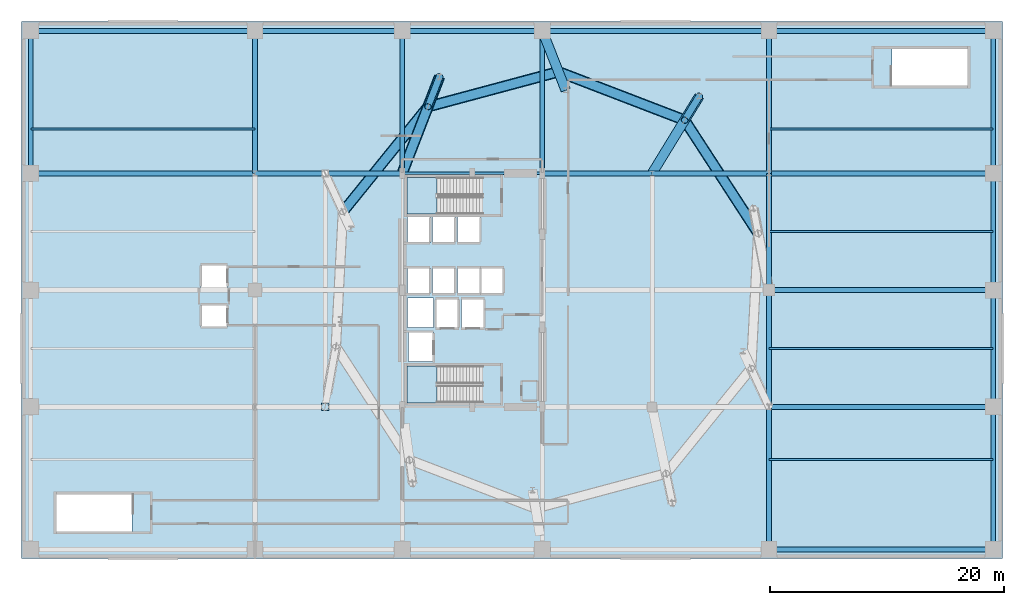
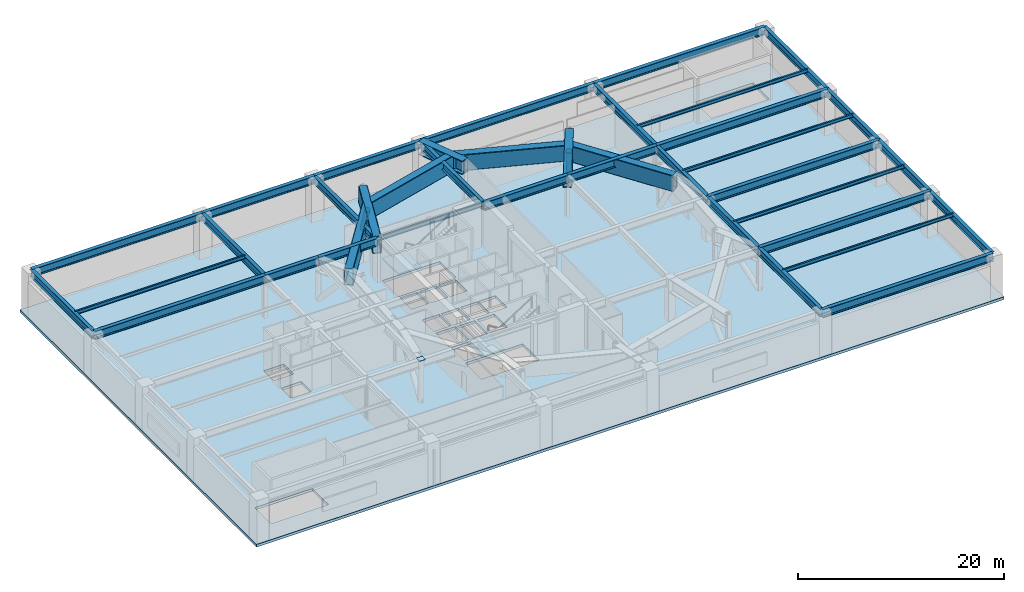
# One storey, part 4 of 12: 40 beams, 3 slabs, 2 members, 1 plate, 2 elements without a shape of their own.
"""IFC4 building model written with IfcOpenShell, lengths in metres."""

from ifc_helpers import new_model, si_unit, direction, frame, origin, origin_2d, place, context, subcontext, project, spatial, polyline, rectangle, hollow_rectangle, hollow_circle, i_section, outline, extrude, material, layer, layer_set, material_profile, profile_set, type_object, element, aggregate, save


model = new_model("IFC4")

# Units and contexts
model_context = context("Model", 3, precision=1e-05, world=origin(), true_north=direction((0.0, 1.0)))
body_context = subcontext(model_context, "Body", "Model", "MODEL_VIEW")
ifc_project = project(units=[si_unit("LENGTHUNIT", "METRE"), si_unit("AREAUNIT", "SQUARE_METRE"), si_unit("VOLUMEUNIT", "CUBIC_METRE"), si_unit("PLANEANGLEUNIT", "RADIAN"), si_unit("MASSUNIT", "GRAM", prefix="KILO")], contexts=[model_context])

# Site, building, storey
site_placement = place(None, origin())
site = spatial("IfcSite", under=ifc_project, at=site_placement, CompositionType="ELEMENT")
building_placement = place(site_placement, origin())
building = spatial("IfcBuilding", under=site, at=building_placement, Name="Soratama Intermodal Tower", CompositionType="ELEMENT")
storey_placement = place(building_placement, frame((0.0, 0.0, 25.199951171875)))
storey = spatial("IfcBuildingStorey", under=building, at=storey_placement, Name="L05", CompositionType="ELEMENT", Elevation=25.199951171875)

# Beams
ifc_material_1 = material(Name="Structural steel ASTM A992 Grade 50", Category="steel")
ifc_material_profile_1 = material_profile(ifc_material_1, i_section(OverallWidth=0.19091796875, OverallDepth=0.4599609375, WebThickness=0.010009765625, FlangeThickness=0.01611328125, FilletRadius=0.010986328125, at=origin_2d()), Name="W18X55")
ifc_profile_set_1 = profile_set([ifc_material_profile_1], Name="Structural steel ASTM A992 Grade 50")
beam_type_1 = type_object("IfcBeamType", Name="BM-FLR-W18X55", PredefinedType="BEAM", material=ifc_profile_set_1)
for number, where, z_axis, x_axis, name in (
    (1, (44.60009765625, 35.0, 4.8701171875), (-1.0, 0.0, 0.0), (0.0, -1.0, 0.0), "BM-L05-CRING-06"),
    (2, (38.60009765625, 35.0, 4.8701171875), (-1.0, 0.0, 0.0), (0.0, -1.0, 0.0), "BM-L05-CRING-07"),
):
    element("IfcBeam", number, at=place(storey_placement, frame(where, z_axis=z_axis, x_axis=x_axis)), inside=storey, type_object=beam_type_1, Name=name, PredefinedType="BEAM", context=body_context, shape_type="SweptSolid", body=[
        extrude(i_section(OverallWidth=0.19091796875, OverallDepth=0.4599609375, WebThickness=0.010009765625, FlangeThickness=0.01611328125, FilletRadius=0.010986328125, at=origin_2d()), origin(), (0.0, 0.0, 1.0), 6.0),
    ])
ifc_material_2 = material(Name="Structural steel ASTM A992 Grade 50", Category="steel")
ifc_material_profile_2 = material_profile(ifc_material_2, i_section(OverallWidth=0.177978515625, OverallDepth=0.406982421875, WebThickness=0.0078125, FlangeThickness=0.0126953125, FilletRadius=0.010009765625, at=origin_2d()), Name="W16X40")
ifc_profile_set_2 = profile_set([ifc_material_profile_2], Name="Structural steel ASTM A992 Grade 50")
beam_type_2 = type_object("IfcBeamType", Name="BM-JST-W16X40", PredefinedType="JOIST", material=ifc_profile_set_2)
for number, where, z_axis, x_axis, name in (
    (3, (64.0, 10.5, 4.896484375), (1.0, 0.0, 0.0), (0.0, 1.0, 0.0), "JST-L05-E1"),
    (4, (64.0, 20.0, 4.896484375), (1.0, 0.0, 0.0), (0.0, 1.0, 0.0), "JST-L05-E2"),
    (5, (64.0, 30.0, 4.896484375), (1.0, 0.0, 0.0), (0.0, 1.0, 0.0), "JST-L05-E3"),
    (6, (0.800048828125, 38.800048828125, 4.896484375), (1.0, 0.0, 0.0), (0.0, 1.0, 0.0), "JST-L05-W4"),
    (7, (64.0, 38.800048828125, 4.896484375), (1.0, 0.0, 0.0), (0.0, 1.0, 0.0), "JST-L05-E4"),
):
    element("IfcBeam", number, at=place(storey_placement, frame(where, z_axis=z_axis, x_axis=x_axis)), inside=storey, type_object=beam_type_2, Name=name, PredefinedType="JOIST", context=body_context, shape_type="SweptSolid", body=[
        extrude(i_section(OverallWidth=0.177978515625, OverallDepth=0.406982421875, WebThickness=0.0078125, FlangeThickness=0.0126953125, FilletRadius=0.010009765625, at=origin_2d()), origin(), (0.0, 0.0, 1.0), 19.199951171875),
    ])
ifc_material_3 = material(Name="Structural steel ASTM A992 Grade 50", Category="steel")
ifc_material_profile_3 = material_profile(ifc_material_3, i_section(OverallWidth=0.403076171875, OverallDepth=0.867919921875, WebThickness=0.02099609375, FlangeThickness=0.03564453125, FilletRadius=0.01806640625, at=origin_2d()), Name="W33X241")
ifc_profile_set_3 = profile_set([ifc_material_profile_3], Name="Structural steel ASTM A992 Grade 50")
beam_type_3 = type_object("IfcBeamType", Name="BM-POD-EXT-W33", PredefinedType="BEAM", material=ifc_profile_set_3)
for number, where, z_axis, x_axis, name in (
    (8, (0.800048828125, 35.0, 4.666015625), (0.0, 1.0, 0.0), (-1.0, 0.0, 0.0), "L05 Station Girder Y1-4"),
    (9, (83.199951171875, 2.800048828125, 4.666015625), (0.0, 1.0, 0.0), (-1.0, 0.0, 0.0), "L05 Station Girder Y4-1"),
):
    element("IfcBeam", number, at=place(storey_placement, frame(where, z_axis=z_axis, x_axis=x_axis)), inside=storey, type_object=beam_type_3, Name=name, PredefinedType="BEAM", context=body_context, shape_type="SweptSolid", body=[
        extrude(i_section(OverallWidth=0.403076171875, OverallDepth=0.867919921875, WebThickness=0.02099609375, FlangeThickness=0.03564453125, FilletRadius=0.01806640625, at=origin_2d()), origin(), (0.0, 0.0, 1.0), 12.199951171875),
    ])
for number, where, z_axis, x_axis, name in (
    (10, (83.199951171875, 15.0, 4.666015625), (0.0, 1.0, 0.0), (-1.0, 0.0, 0.0), "L05 Station Girder Y4-2"),
    (11, (83.199951171875, 25.0, 4.666015625), (0.0, 1.0, 0.0), (-1.0, 0.0, 0.0), "L05 Station Girder Y4-3"),
):
    element("IfcBeam", number, at=place(storey_placement, frame(where, z_axis=z_axis, x_axis=x_axis)), inside=storey, type_object=beam_type_3, Name=name, PredefinedType="BEAM", context=body_context, shape_type="SweptSolid", body=[
        extrude(i_section(OverallWidth=0.403076171875, OverallDepth=0.867919921875, WebThickness=0.02099609375, FlangeThickness=0.03564453125, FilletRadius=0.01806640625, at=origin_2d()), origin(), (0.0, 0.0, 1.0), 10.0),
    ])
beam_1_placement = place(storey_placement, frame((83.199951171875, 35.0, 4.666015625), z_axis=(0.0, 1.0, 0.0), x_axis=(-1.0, 0.0, 0.0)))
element("IfcBeam", 12, at=beam_1_placement, inside=storey, type_object=beam_type_3, Name="L05 Station Girder Y4-4", PredefinedType="BEAM", context=body_context, shape_type="SweptSolid", body=[
    extrude(i_section(OverallWidth=0.403076171875, OverallDepth=0.867919921875, WebThickness=0.02099609375, FlangeThickness=0.03564453125, FilletRadius=0.01806640625, at=origin_2d()), origin(), (0.0, 0.0, 1.0), 12.199951171875),
])
ifc_material_4 = material(Name="Structural steel ASTM A992 Grade 50", Category="steel")
ifc_material_profile_4 = material_profile(ifc_material_4, i_section(OverallWidth=0.423095703125, OverallDepth=0.93896484375, WebThickness=0.02392578125, FlangeThickness=0.042724609375, FilletRadius=0.02392578125, at=origin_2d()), Name="W36X302")
ifc_profile_set_4 = profile_set([ifc_material_profile_4], Name="Structural steel ASTM A992 Grade 50")
beam_type_4 = type_object("IfcBeamType", Name="BM-POD-EXT-W36", PredefinedType="BEAM", material=ifc_profile_set_4)
for number, where, z_axis, x_axis, name in (
    (13, (64.0, 2.800048828125, 4.630615234375), (1.0, 0.0, 0.0), (0.0, 1.0, 0.0), "L05 Station Girder X1-5"),
    (14, (0.800048828125, 47.199951171875, 4.630615234375), (1.0, 0.0, 0.0), (0.0, 1.0, 0.0), "L05 Station Girder X5-1"),
):
    element("IfcBeam", number, at=place(storey_placement, frame(where, z_axis=z_axis, x_axis=x_axis)), inside=storey, type_object=beam_type_4, Name=name, PredefinedType="BEAM", context=body_context, shape_type="SweptSolid", body=[
        extrude(i_section(OverallWidth=0.423095703125, OverallDepth=0.93896484375, WebThickness=0.02392578125, FlangeThickness=0.042724609375, FilletRadius=0.02392578125, at=origin_2d()), origin(), (0.0, 0.0, 1.0), 19.199951171875),
    ])
beam_2_placement = place(storey_placement, frame((20.0, 47.199951171875, 4.630615234375), z_axis=(1.0, 0.0, 0.0), x_axis=(0.0, 1.0, 0.0)))
element("IfcBeam", 15, at=beam_2_placement, inside=storey, type_object=beam_type_4, Name="L05 Station Girder X5-2", PredefinedType="BEAM", context=body_context, shape_type="SweptSolid", body=[
    extrude(i_section(OverallWidth=0.423095703125, OverallDepth=0.93896484375, WebThickness=0.02392578125, FlangeThickness=0.042724609375, FilletRadius=0.02392578125, at=origin_2d()), origin(), (0.0, 0.0, 1.0), 12.60009765625),
])
beam_3_placement = place(storey_placement, frame((32.60009765625, 47.199951171875, 4.630615234375), z_axis=(1.0, 0.0, 0.0), x_axis=(0.0, 1.0, 0.0)))
element("IfcBeam", 16, at=beam_3_placement, inside=storey, type_object=beam_type_4, Name="L05 Station Girder X5-3", PredefinedType="BEAM", context=body_context, shape_type="SweptSolid", body=[
    extrude(i_section(OverallWidth=0.423095703125, OverallDepth=0.93896484375, WebThickness=0.02392578125, FlangeThickness=0.042724609375, FilletRadius=0.02392578125, at=origin_2d()), origin(), (0.0, 0.0, 1.0), 12.0),
])
beam_4_placement = place(storey_placement, frame((44.60009765625, 47.199951171875, 4.630615234375), z_axis=(1.0, 0.0, 0.0), x_axis=(0.0, 1.0, 0.0)))
element("IfcBeam", 17, at=beam_4_placement, inside=storey, type_object=beam_type_4, Name="L05 Station Girder X5-4", PredefinedType="BEAM", context=body_context, shape_type="SweptSolid", body=[
    extrude(i_section(OverallWidth=0.423095703125, OverallDepth=0.93896484375, WebThickness=0.02392578125, FlangeThickness=0.042724609375, FilletRadius=0.02392578125, at=origin_2d()), origin(), (0.0, 0.0, 1.0), 19.39990234375),
])
beam_5_placement = place(storey_placement, frame((64.0, 47.199951171875, 4.630615234375), z_axis=(1.0, 0.0, 0.0), x_axis=(0.0, 1.0, 0.0)))
element("IfcBeam", 18, at=beam_5_placement, inside=storey, type_object=beam_type_4, Name="L05 Station Girder X5-5", PredefinedType="BEAM", context=body_context, shape_type="SweptSolid", body=[
    extrude(i_section(OverallWidth=0.423095703125, OverallDepth=0.93896484375, WebThickness=0.02392578125, FlangeThickness=0.042724609375, FilletRadius=0.02392578125, at=origin_2d()), origin(), (0.0, 0.0, 1.0), 19.199951171875),
])
ifc_material_5 = material(Name="Structural steel ASTM A992 Grade 50", Category="steel")
ifc_material_profile_5 = material_profile(ifc_material_5, i_section(OverallWidth=0.403076171875, OverallDepth=0.867919921875, WebThickness=0.02099609375, FlangeThickness=0.03564453125, FilletRadius=0.01806640625, at=origin_2d()), Name="W33X241")
ifc_profile_set_5 = profile_set([ifc_material_profile_5], Name="Structural steel ASTM A992 Grade 50")
beam_type_5 = type_object("IfcBeamType", Name="BM-POD-W33X241", PredefinedType="BEAM", material=ifc_profile_set_5)
for number, where, z_axis, x_axis, name in (
    (19, (20.0, 35.0, 4.666015625), (0.0, 1.0, 0.0), (-1.0, 0.0, 0.0), "L05 Station Girder Y2-4"),
    (20, (64.0, 2.800048828125, 4.666015625), (0.0, 1.0, 0.0), (-1.0, 0.0, 0.0), "L05 Station Girder Y3-1"),
):
    element("IfcBeam", number, at=place(storey_placement, frame(where, z_axis=z_axis, x_axis=x_axis)), inside=storey, type_object=beam_type_5, Name=name, PredefinedType="BEAM", context=body_context, shape_type="SweptSolid", body=[
        extrude(i_section(OverallWidth=0.403076171875, OverallDepth=0.867919921875, WebThickness=0.02099609375, FlangeThickness=0.03564453125, FilletRadius=0.01806640625, at=origin_2d()), origin(), (0.0, 0.0, 1.0), 12.199951171875),
    ])
for number, where, z_axis, x_axis, name in (
    (21, (64.0, 15.0, 4.666015625), (0.0, 1.0, 0.0), (-1.0, 0.0, 0.0), "L05 Station Girder Y3-2"),
    (22, (64.0, 25.0, 4.666015625), (0.0, 1.0, 0.0), (-1.0, 0.0, 0.0), "L05 Station Girder Y3-3"),
):
    element("IfcBeam", number, at=place(storey_placement, frame(where, z_axis=z_axis, x_axis=x_axis)), inside=storey, type_object=beam_type_5, Name=name, PredefinedType="BEAM", context=body_context, shape_type="SweptSolid", body=[
        extrude(i_section(OverallWidth=0.403076171875, OverallDepth=0.867919921875, WebThickness=0.02099609375, FlangeThickness=0.03564453125, FilletRadius=0.01806640625, at=origin_2d()), origin(), (0.0, 0.0, 1.0), 10.0),
    ])
for number, where, z_axis, x_axis, name in (
    (23, (64.0, 35.0, 4.666015625), (0.0, 1.0, 0.0), (-1.0, 0.0, 0.0), "L05 Station Girder Y3-4"),
    (24, (32.60009765625, 35.0, 4.666015625), (0.0, 1.0, 0.0), (-1.0, 0.0, 0.0), "BM-L05-GYC-1-2"),
    (25, (44.60009765625, 35.0, 4.666015625), (0.0, 1.0, 0.0), (-1.0, 0.0, 0.0), "BM-L05-GYC-2-2"),
):
    element("IfcBeam", number, at=place(storey_placement, frame(where, z_axis=z_axis, x_axis=x_axis)), inside=storey, type_object=beam_type_5, Name=name, PredefinedType="BEAM", context=body_context, shape_type="SweptSolid", body=[
        extrude(i_section(OverallWidth=0.403076171875, OverallDepth=0.867919921875, WebThickness=0.02099609375, FlangeThickness=0.03564453125, FilletRadius=0.01806640625, at=origin_2d()), origin(), (0.0, 0.0, 1.0), 12.199951171875),
    ])
ifc_material_6 = material(Name="Structural steel ASTM A992 Grade 50", Category="steel")
ifc_material_profile_6 = material_profile(ifc_material_6, i_section(OverallWidth=0.423095703125, OverallDepth=0.93896484375, WebThickness=0.02392578125, FlangeThickness=0.042724609375, FilletRadius=0.02392578125, at=origin_2d()), Name="W36X302")
ifc_profile_set_6 = profile_set([ifc_material_profile_6], Name="Structural steel ASTM A992 Grade 50")
beam_type_6 = type_object("IfcBeamType", Name="BM-POD-W36X302", PredefinedType="BEAM", material=ifc_profile_set_6)
for number, where, z_axis, x_axis, name in (
    (26, (64.0, 15.0, 4.630615234375), (1.0, 0.0, 0.0), (0.0, 1.0, 0.0), "L05 Station Girder X2-6"),
    (27, (64.0, 25.0, 4.630615234375), (1.0, 0.0, 0.0), (0.0, 1.0, 0.0), "L05 Station Girder X3-3"),
):
    element("IfcBeam", number, at=place(storey_placement, frame(where, z_axis=z_axis, x_axis=x_axis)), inside=storey, type_object=beam_type_6, Name=name, PredefinedType="BEAM", context=body_context, shape_type="SweptSolid", body=[
        extrude(i_section(OverallWidth=0.423095703125, OverallDepth=0.93896484375, WebThickness=0.02392578125, FlangeThickness=0.042724609375, FilletRadius=0.02392578125, at=origin_2d()), origin(), (0.0, 0.0, 1.0), 19.199951171875),
    ])
beam_6_placement = place(storey_placement, frame((20.0, 35.0, 4.630615234375), z_axis=(1.0, 0.0, 0.0), x_axis=(0.0, 1.0, 0.0)))
element("IfcBeam", 28, at=beam_6_placement, inside=storey, type_object=beam_type_6, Name="L05 Station Girder X4-1", PredefinedType="BEAM", context=body_context, shape_type="SweptSolid", body=[
    extrude(i_section(OverallWidth=0.423095703125, OverallDepth=0.93896484375, WebThickness=0.02392578125, FlangeThickness=0.042724609375, FilletRadius=0.02392578125, at=origin_2d()), origin(), (0.0, 0.0, 1.0), 6.0),
])
beam_7_placement = place(storey_placement, frame((26.0, 35.0, 4.630615234375), z_axis=(1.0, 0.0, 0.0), x_axis=(0.0, 1.0, 0.0)))
element("IfcBeam", 29, at=beam_7_placement, inside=storey, type_object=beam_type_6, Name="L05 Station Girder X4-2", PredefinedType="BEAM", context=body_context, shape_type="SweptSolid", body=[
    extrude(i_section(OverallWidth=0.423095703125, OverallDepth=0.93896484375, WebThickness=0.02392578125, FlangeThickness=0.042724609375, FilletRadius=0.02392578125, at=origin_2d()), origin(), (0.0, 0.0, 1.0), 6.60009765625),
])
beam_8_placement = place(storey_placement, frame((44.60009765625, 35.0, 4.630615234375), z_axis=(1.0, 0.0, 0.0), x_axis=(0.0, 1.0, 0.0)))
element("IfcBeam", 30, at=beam_8_placement, inside=storey, type_object=beam_type_6, Name="L05 Station Girder X4-3", PredefinedType="BEAM", context=body_context, shape_type="SweptSolid", body=[
    extrude(i_section(OverallWidth=0.423095703125, OverallDepth=0.93896484375, WebThickness=0.02392578125, FlangeThickness=0.042724609375, FilletRadius=0.02392578125, at=origin_2d()), origin(), (0.0, 0.0, 1.0), 9.39990234375),
])
beam_9_placement = place(storey_placement, frame((54.0, 35.0, 4.630615234375), z_axis=(1.0, 0.0, 0.0), x_axis=(0.0, 1.0, 0.0)))
element("IfcBeam", 31, at=beam_9_placement, inside=storey, type_object=beam_type_6, Name="L05 Station Girder X4-4", PredefinedType="BEAM", context=body_context, shape_type="SweptSolid", body=[
    extrude(i_section(OverallWidth=0.423095703125, OverallDepth=0.93896484375, WebThickness=0.02392578125, FlangeThickness=0.042724609375, FilletRadius=0.02392578125, at=origin_2d()), origin(), (0.0, 0.0, 1.0), 10.0),
])
for number, where, z_axis, x_axis, name in (
    (32, (64.0, 35.0, 4.630615234375), (1.0, 0.0, 0.0), (0.0, 1.0, 0.0), "L05 Station Girder X4-5"),
    (33, (0.800048828125, 35.0, 4.630615234375), (1.0, 0.0, 0.0), (0.0, 1.0, 0.0), "L05 Station Girder X4-6"),
):
    element("IfcBeam", number, at=place(storey_placement, frame(where, z_axis=z_axis, x_axis=x_axis)), inside=storey, type_object=beam_type_6, Name=name, PredefinedType="BEAM", context=body_context, shape_type="SweptSolid", body=[
        extrude(i_section(OverallWidth=0.423095703125, OverallDepth=0.93896484375, WebThickness=0.02392578125, FlangeThickness=0.042724609375, FilletRadius=0.02392578125, at=origin_2d()), origin(), (0.0, 0.0, 1.0), 19.199951171875),
    ])
ifc_material_7 = material(Name="Structural steel ASTM A572 Grade 50", Category="steel")
ifc_material_profile_7 = material_profile(ifc_material_7, hollow_rectangle(XDim=0.89990234375, YDim=1.919921875, WallThickness=0.0439453125, InnerFilletRadius=0.0439453125, OuterFilletRadius=0.087890625, at=origin_2d()), Name="BOX1600X900X40")
ifc_profile_set_7 = profile_set([ifc_material_profile_7], Name="Structural steel ASTM A572 Grade 50")
beam_type_7 = type_object("IfcBeamType", Name="BM-XFER-BOX1600", PredefinedType="BEAM", material=ifc_profile_set_7)
beam_10_placement = place(storey_placement, frame((63.08203125, 29.844970703125, 4.14013671875), z_axis=(-0.544623370352, 0.838680740489, 0.0), x_axis=(-0.838680740489, -0.544623370352, 0.0)))
element("IfcBeam", 34, at=beam_10_placement, inside=storey, type_object=beam_type_7, Name="BM-L05-XFRING-01", PredefinedType="BEAM", context=body_context, shape_type="SweptSolid", body=[
    extrude(hollow_rectangle(XDim=0.89990234375, YDim=1.919921875, WallThickness=0.0439453125, InnerFilletRadius=0.0439453125, OuterFilletRadius=0.087890625, at=origin_2d()), origin(), (0.0, 0.0, 1.0), 11.569580078125),
])
beam_11_placement = place(storey_placement, frame((56.781005859375, 39.548095703125, 4.14013671875), z_axis=(-0.933584159632, 0.358358224246, 0.0), x_axis=(-0.358358224246, -0.933584159632, 0.0)))
element("IfcBeam", 35, at=beam_11_placement, inside=storey, type_object=beam_type_7, Name="BM-L05-XFRING-02", PredefinedType="BEAM", context=body_context, shape_type="SweptSolid", body=[
    extrude(hollow_rectangle(XDim=0.89990234375, YDim=1.919921875, WallThickness=0.0439453125, InnerFilletRadius=0.0439453125, OuterFilletRadius=0.087890625, at=origin_2d()), origin(), (0.0, 0.0, 1.0), 11.5693359375),
])
beam_12_placement = place(storey_placement, frame((45.97998046875, 43.694091796875, 4.14013671875), z_axis=(-0.965935902196, -0.258781438376, 0.0), x_axis=(0.258781438376, -0.965935902196, 0.0)))
element("IfcBeam", 36, at=beam_12_placement, inside=storey, type_object=beam_type_7, Name="BM-L05-XFRING-03", PredefinedType="BEAM", context=body_context, shape_type="SweptSolid", body=[
    extrude(hollow_rectangle(XDim=0.89990234375, YDim=1.919921875, WallThickness=0.0439453125, InnerFilletRadius=0.0439453125, OuterFilletRadius=0.087890625, at=origin_2d()), origin(), (0.0, 0.0, 1.0), 11.570068359375),
])
beam_13_placement = place(storey_placement, frame((34.803955078125, 40.699951171875, 4.14013671875), z_axis=(-0.629334198857, -0.777134779912, 0.0), x_axis=(0.777134779912, -0.629334198857, 0.0)))
element("IfcBeam", 37, at=beam_13_placement, inside=storey, type_object=beam_type_7, Name="BM-L05-XFRING-04", PredefinedType="BEAM", context=body_context, shape_type="SweptSolid", body=[
    extrude(hollow_rectangle(XDim=0.89990234375, YDim=1.919921875, WallThickness=0.0439453125, InnerFilletRadius=0.0439453125, OuterFilletRadius=0.087890625, at=origin_2d()), origin(), (0.0, 0.0, 1.0), 11.5693359375),
])
beam_14_placement = place(storey_placement, frame((32.60009765625, 35.0, 4.14013671875), z_axis=(0.360649347338, 0.932701478644, 0.0), x_axis=(-0.932701478644, 0.360649347338, 0.0)))
element("IfcBeam", 38, at=beam_14_placement, inside=storey, type_object=beam_type_7, Name="BM-L05-XFRAD-04-1", PredefinedType="BEAM", context=body_context, shape_type="SweptSolid", body=[
    extrude(hollow_rectangle(XDim=0.89990234375, YDim=1.919921875, WallThickness=0.0439453125, InnerFilletRadius=0.0439453125, OuterFilletRadius=0.087890625, at=origin_2d()), origin(), (0.0, 0.0, 1.0), 8.861328125),
])
ifc_material_8 = material(Name="Structural steel ASTM A992 Grade 50", Category="steel")
ifc_material_profile_8 = material_profile(ifc_material_8, i_section(OverallWidth=0.820068359375, OverallDepth=1.60205078125, WebThickness=0.055908203125, FlangeThickness=0.092041015625, FilletRadius=0.02392578125, at=origin_2d()), Name="PG1600X650")
ifc_profile_set_8 = profile_set([ifc_material_profile_8], Name="Structural steel ASTM A992 Grade 50")
beam_type_8 = type_object("IfcBeamType", Name="BM-ZSTEP-PG1600", PredefinedType="BEAM", material=ifc_profile_set_8)
beam_15_placement = place(storey_placement, frame((54.0, 35.0, 4.299072265625), z_axis=(0.521612250294, 0.853182665285, 0.0), x_axis=(-0.853182665285, 0.521612250294, 0.0)))
element("IfcBeam", 39, at=beam_15_placement, inside=storey, type_object=beam_type_8, Name="BM-L05-XFRAD-02-1", PredefinedType="BEAM", context=body_context, shape_type="SweptSolid", body=[
    extrude(i_section(OverallWidth=0.820068359375, OverallDepth=1.60205078125, WebThickness=0.055908203125, FlangeThickness=0.092041015625, FilletRadius=0.02392578125, at=origin_2d()), origin(), (0.0, 0.0, 1.0), 7.729736328125),
])
beam_16_placement = place(storey_placement, frame((44.60009765625, 47.199951171875, 4.299072265625), z_axis=(0.366299411127, -0.930497039978, 0.0), x_axis=(0.930497039978, 0.366299411127, 0.0)))
element("IfcBeam", 40, at=beam_16_placement, inside=storey, type_object=beam_type_8, Name="BM-L05-XFRAD-03-1", PredefinedType="BEAM", context=body_context, shape_type="SweptSolid", body=[
    extrude(i_section(OverallWidth=0.820068359375, OverallDepth=1.60205078125, WebThickness=0.055908203125, FlangeThickness=0.092041015625, FilletRadius=0.02392578125, at=origin_2d()), origin(), (0.0, 0.0, 1.0), 5.462646484375),
])

# Members
ifc_material_9 = material(Name="Structural steel ASTM A500 Grade C", Category="steel")
ifc_material_profile_9 = material_profile(ifc_material_9, hollow_circle(Radius=0.304931640625, WallThickness=0.02197265625, at=origin_2d()), Name="CHS610X22")
ifc_profile_set_9 = profile_set([ifc_material_profile_9], Name="Structural steel ASTM A500 Grade C")
member_type = type_object("IfcMemberType", Name="MB-XFR-CHS610", PredefinedType="BRACE", material=ifc_profile_set_9)
member_1_placement = place(storey_placement, frame((58.031982421875, 41.594970703125, 0.010009765625), z_axis=(-0.261915917015, -0.428552507465, 0.864721227194), x_axis=(0.853261707193, -0.52148294223, 0.0)))
element("IfcMember", 41, at=member_1_placement, inside=storey, type_object=member_type, Name="L05 Transfer Truss Diagonal 02", PredefinedType="BRACE", context=body_context, shape_type="SweptSolid", body=[
    extrude(hollow_circle(Radius=0.304931640625, WallThickness=0.02197265625, at=origin_2d()), origin(), (0.0, 0.0, 1.0), 4.7763671875),
])
member_2_placement = place(storey_placement, frame((35.7958984375, 43.264892578125, 0.010009765625), z_axis=(-0.19981601121, -0.516933517304, 0.832378099394), x_axis=(0.932742499948, -0.360543241223, 0.0)))
element("IfcMember", 42, at=member_2_placement, inside=storey, type_object=member_type, Name="L05 Transfer Truss Diagonal 04", PredefinedType="BRACE", context=body_context, shape_type="SweptSolid", body=[
    extrude(hollow_circle(Radius=0.304931640625, WallThickness=0.02197265625, at=origin_2d()), origin(), (0.0, 0.0, 1.0), 4.9619140625),
])

# Plate
ifc_material_10 = material(Name="Steel ASTM A572 Gr 50", Category="steel")
ifc_layer_1 = layer(ifc_material_10, 0.030029296875)
ifc_layer_set_1 = layer_set([ifc_layer_1], Name="Steel ASTM A572 Gr 50")
plate_type = type_object("IfcPlateType", Name="PT-CAP-CHS660", PredefinedType="USERDEFINED", material=ifc_layer_set_1)
plate_placement = place(storey_placement, frame((26.0, 15.0, 5.06982421875), z_axis=(0.0, 0.0, 1.0), x_axis=(1.0, 0.0, 0.0)))
element("IfcPlate", 43, at=plate_placement, inside=storey, type_object=plate_type, Name="L05 Hollow Column Cap Plate P27", ObjectType="END PLATE", PredefinedType="USERDEFINED", context=body_context, shape_type="SweptSolid", body=[
    extrude(rectangle(XDim=0.659912109375, YDim=0.659912109375, at=origin_2d()), origin(), (0.0, 0.0, 1.0), 0.030029296875),
])

# Slab
ifc_material_11 = material(Name="Concrete f'c 42 MPa", Category="concrete")
ifc_layer_2 = layer(ifc_material_11, 0.320068359375)
ifc_layer_set_2 = layer_set([ifc_layer_2], Name="Concrete f'c 42 MPa")
slab_type_1 = type_object("IfcSlabType", Name="SL-POD-320", PredefinedType="FLOOR", material=ifc_layer_set_2)
slab_1_placement = place(storey_placement, frame((0.0, 0.0, -0.320068359375)))
element("IfcSlab", 44, at=slab_1_placement, inside=storey, type_object=slab_type_1, Name="L05 Structural Floor Slab", PredefinedType="FLOOR", context=body_context, shape_type="SweptSolid", body=[
    extrude(outline(polyline([(0.0, 2.0), (84.0, 2.0), (84.0, 48.0), (0.0, 48.0), (0.0, 2.0)]), holes=[polyline([(9.47509765625, 7.5), (3.0, 7.5), (3.0, 4.35009765625), (9.47509765625, 4.35009765625), (9.47509765625, 7.5)]), polyline([(35.260009765625, 18.889892578125), (35.260009765625, 21.409912109375), (33.139892578125, 21.409912109375), (33.139892578125, 18.889892578125), (35.260009765625, 18.889892578125)]), polyline([(17.610107421875, 21.840087890625), (17.610107421875, 23.760009765625), (15.389892578125, 23.760009765625), (15.389892578125, 21.840087890625), (17.610107421875, 21.840087890625)]), polyline([(33.050048828125, 21.800048828125), (35.280029296875, 21.800048828125), (35.280029296875, 24.320068359375), (33.050048828125, 24.320068359375), (33.050048828125, 21.800048828125)]), polyline([(34.9599609375, 24.68994140625), (34.9599609375, 26.909912109375), (33.0400390625, 26.909912109375), (33.0400390625, 24.68994140625), (34.9599609375, 24.68994140625)]), polyline([(37.110107421875, 24.68994140625), (37.110107421875, 26.909912109375), (35.18994140625, 26.909912109375), (35.18994140625, 24.68994140625), (37.110107421875, 24.68994140625)]), polyline([(17.610107421875, 25.239990234375), (17.610107421875, 27.159912109375), (15.389892578125, 27.159912109375), (15.389892578125, 25.239990234375), (17.610107421875, 25.239990234375)]), polyline([(34.9599609375, 29.0400390625), (34.9599609375, 31.260009765625), (33.0400390625, 31.260009765625), (33.0400390625, 29.0400390625), (34.9599609375, 29.0400390625)]), polyline([(37.110107421875, 29.0400390625), (37.110107421875, 31.260009765625), (35.18994140625, 31.260009765625), (35.18994140625, 29.0400390625), (37.110107421875, 29.0400390625)]), polyline([(39.47509765625, 18.5), (33.0, 18.5), (33.0, 15.35009765625), (39.47509765625, 15.35009765625), (39.47509765625, 18.5)]), polyline([(37.409912109375, 21.739990234375), (37.409912109375, 24.260009765625), (35.489990234375, 24.260009765625), (35.489990234375, 21.739990234375), (37.409912109375, 21.739990234375)]), polyline([(39.610107421875, 21.739990234375), (39.610107421875, 24.260009765625), (37.68994140625, 24.260009765625), (37.68994140625, 21.739990234375), (39.610107421875, 21.739990234375)]), polyline([(39.260009765625, 24.68994140625), (39.260009765625, 26.909912109375), (37.340087890625, 26.909912109375), (37.340087890625, 24.68994140625), (39.260009765625, 24.68994140625)]), polyline([(41.260009765625, 24.68994140625), (41.260009765625, 26.909912109375), (39.340087890625, 26.909912109375), (39.340087890625, 24.68994140625), (41.260009765625, 24.68994140625)]), polyline([(39.260009765625, 29.0400390625), (39.260009765625, 31.260009765625), (37.340087890625, 31.260009765625), (37.340087890625, 29.0400390625), (39.260009765625, 29.0400390625)]), polyline([(39.47509765625, 31.5), (39.47509765625, 34.64990234375), (33.0, 34.64990234375), (33.0, 31.5), (39.47509765625, 31.5)]), polyline([(74.52490234375, 45.64990234375), (74.52490234375, 42.5), (81.0, 42.5), (81.0, 45.64990234375), (74.52490234375, 45.64990234375)])]), origin(), (0.0, 0.0, 1.0), 0.320068359375),
])

# Stair, slab
ifc_material_12 = material(Name="Concrete f'c 42 MPa", Category="concrete")
stair_type = type_object("IfcStairType", Name="ST-CORE-DOGLEG", PredefinedType="HALF_TURN_STAIR", material=ifc_material_12)
stair_1_placement = place(storey_placement, origin())
stair_1 = element("IfcStair", 45, at=stair_1_placement, inside=storey, type_object=stair_type, Name="L05 ST-1", PredefinedType="HALF_TURN_STAIR")
ifc_material_13 = material(Name="Concrete f'c 42 MPa", Category="concrete")
ifc_layer_3 = layer(ifc_material_13, 0.219970703125)
ifc_layer_set_3 = layer_set([ifc_layer_3], Name="Concrete f'c 42 MPa")
slab_type_2 = type_object("IfcSlabType", Name="SL-STAIR-LAND", PredefinedType="LANDING", material=ifc_layer_set_3)
slab_2_placement = place(storey_placement, frame((0.0, 0.0, 2.5)))
slab_2 = element("IfcSlab", 46, at=slab_2_placement, type_object=slab_type_2, Name="ST-1 landing 1", PredefinedType="LANDING", context=body_context, shape_type="SweptSolid", body=[
    extrude(outline(polyline([(35.580078125, 18.5), (33.0, 18.5), (33.0, 15.35009765625), (35.580078125, 15.35009765625), (35.580078125, 18.5)])), origin(), (0.0, 0.0, 1.0), 0.199951171875),
])
aggregate(stair_1, [slab_2])

stair_2_placement = place(storey_placement, origin())
stair_2 = element("IfcStair", 47, at=stair_2_placement, inside=storey, type_object=stair_type, Name="L05 ST-2", PredefinedType="HALF_TURN_STAIR")
slab_3_placement = place(storey_placement, frame((0.0, 0.0, 2.5)))
slab_3 = element("IfcSlab", 48, at=slab_3_placement, type_object=slab_type_2, Name="ST-2 landing 1", PredefinedType="LANDING", context=body_context, shape_type="SweptSolid", body=[
    extrude(outline(polyline([(35.580078125, 34.64990234375), (33.0, 34.64990234375), (33.0, 31.5), (35.580078125, 31.5), (35.580078125, 34.64990234375)])), origin(), (0.0, 0.0, 1.0), 0.199951171875),
])
aggregate(stair_2, [slab_3])

save(model, "model.ifc")
